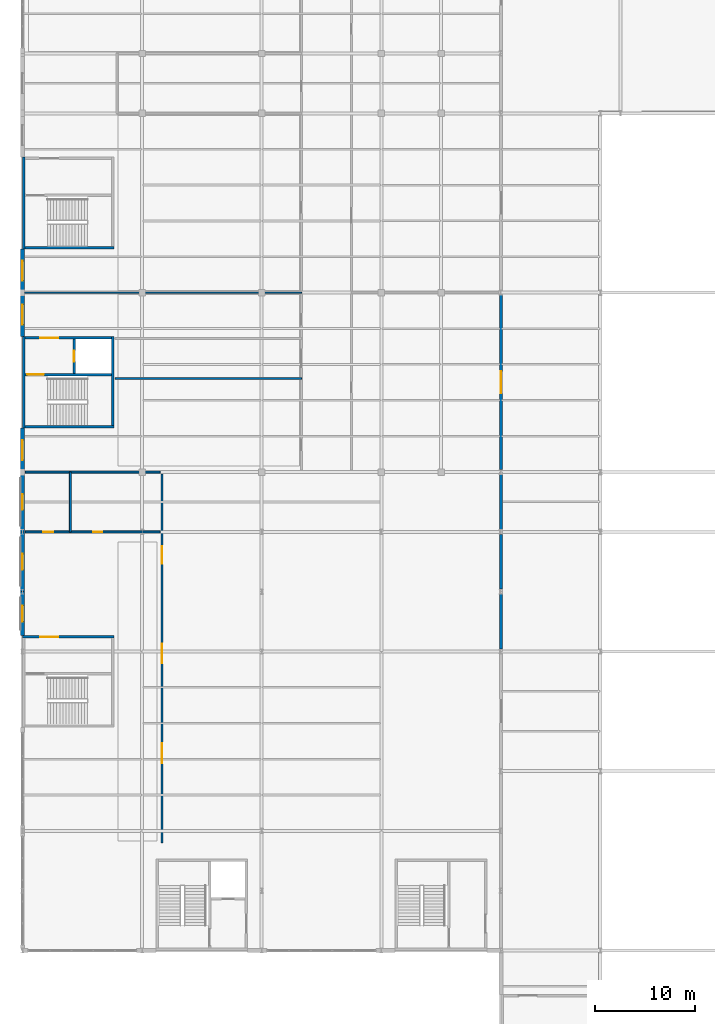
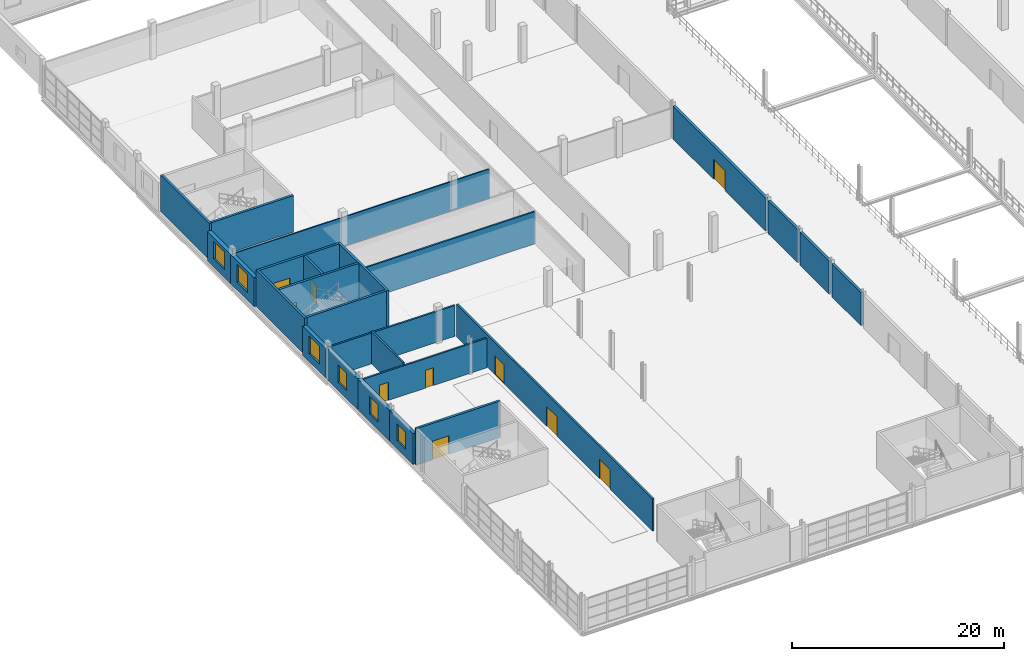
# One storey, part 141 of 158: 25 walls, 10 doors, 6 windows, 16 openings.
"""IFC4 building model written with IfcOpenShell, lengths in metres."""

from ifc_helpers import new_model, si_unit, direction, frame, frame_2d, origin, place, context, subcontext, project, spatial, rectangle, extrude, material, layer, layer_set, type_object, element, fill, save


model = new_model("IFC4")

# Units and contexts
model_context = context("Model", 3, precision=1e-05, world=origin(), true_north=direction((0.0, 1.0)))
body_context = subcontext(model_context, "Body", "Model", "MODEL_VIEW")
ifc_project = project(units=[si_unit("LENGTHUNIT", "METRE"), si_unit("AREAUNIT", "SQUARE_METRE"), si_unit("VOLUMEUNIT", "CUBIC_METRE"), si_unit("PLANEANGLEUNIT", "RADIAN"), si_unit("MASSUNIT", "GRAM", prefix="KILO")], contexts=[model_context])

# Site, building, storey
site_placement = place(None, origin())
site = spatial("IfcSite", under=ifc_project, at=site_placement, CompositionType="ELEMENT")
building_placement = place(site_placement, origin())
building = spatial("IfcBuilding", under=site, at=building_placement, Name="Zilviju Railside Exhibition Hall", CompositionType="ELEMENT")
storey_placement = place(building_placement, frame((0.0, 0.0, 4.199951171875)))
storey = spatial("IfcBuildingStorey", under=building, at=storey_placement, Name="L02", CompositionType="ELEMENT", Elevation=4.199951171875)

# Walls
ifc_material_1 = material(Name="Concrete C35/45", Category="concrete")
ifc_layer_1 = layer(ifc_material_1, 0.280029296875)
ifc_layer_set_1 = layer_set([ifc_layer_1], Name="Concrete C35/45")
wall_type_1 = type_object("IfcWallType", Name="WL-COMP-280", PredefinedType="SHEAR", material=ifc_layer_set_1)
for number, where, z_axis, x_axis, name in (
    (1, (48.0, 66.251953125, 0.0), (0.0, 0.0, 1.0), (0.0, 1.0, 0.0), "REI 180 Congress-Concourse Compartment Wall L02"),
    (2, (48.0, 72.251953125, 0.0), (0.0, 0.0, 1.0), (0.0, 1.0, 0.0), "REI 180 Congress-Concourse Compartment Wall L02"),
):
    element("IfcWall", number, at=place(storey_placement, frame(where, z_axis=z_axis, x_axis=x_axis)), inside=storey, type_object=wall_type_1, Name=name, PredefinedType="SHEAR", context=body_context, shape_type="SweptSolid", body=[
        extrude(rectangle(XDim=5.49609375, YDim=0.280029296875, at=frame_2d((2.748046875, 0.0))), origin(), (0.0, 0.0, 1.0), 3.800048828125),
    ])

# Wall, opening, door
wall_1_placement = place(storey_placement, frame((48.0, 84.251953125, 0.0), z_axis=(0.0, 0.0, 1.0), x_axis=(0.0, 1.0, 0.0)))
wall_1 = element("IfcWall", 3, at=wall_1_placement, inside=storey, type_object=wall_type_1, Name="REI 180 Congress-Concourse Compartment Wall L02", PredefinedType="SHEAR", context=body_context, shape_type="SweptSolid", body=[
    extrude(rectangle(XDim=17.49609375, YDim=0.280029296875, at=frame_2d((8.748046875, 0.0))), origin(), (0.0, 0.0, 1.0), 3.800048828125),
])
opening_1_placement = place(wall_1_placement, frame((7.64794921875, 0.0, 0.0)))
opening_1 = element("IfcOpeningElement", 4, at=opening_1_placement, cuts=wall_1, Name="Opening FD-03", PredefinedType="OPENING", context=body_context, shape_type="SweptSolid", body=[
    extrude(rectangle(XDim=2.199951171875, YDim=2.300048828125, at=frame_2d((1.10009765625, 1.14990234375))), frame((0.0, 0.14990234375, 0.0), z_axis=(0.0, -1.0, 0.0), x_axis=(1.0, 0.0, 0.0)), (0.0, 0.0, 1.0), 0.300048828125),
])
ifc_material_2 = material(Name="Hold-open double compartment fire door EI 60", Category="wood")
door_type_1 = type_object("IfcDoorType", Name="DR-COMP-220x230", OperationType="NOTDEFINED", PredefinedType="DOOR", material=ifc_material_2)
door_1_placement = place(opening_1_placement, origin())
door_1 = element("IfcDoor", 5, at=door_1_placement, inside=storey, type_object=door_type_1, Name="Congress Link Fire Door L02", OperationType="DOUBLE_DOOR_SINGLE_SWING", OverallHeight=2.300048828125, OverallWidth=2.199951171875, PredefinedType="DOOR", context=body_context, shape_type="SweptSolid", body=[
    extrude(rectangle(XDim=2.199951171875, YDim=2.300048828125, at=frame_2d((1.10009765625, 1.14990234375))), frame((0.0, 0.02490234375, 0.0), z_axis=(0.0, -1.0, 0.0), x_axis=(1.0, 0.0, 0.0)), (0.0, 0.0, 1.0), 0.050048828125),
])
fill(opening_1, door_1)

# Wall
wall_2_placement = place(storey_placement, frame((48.0, 78.251953125, 0.0), z_axis=(0.0, 0.0, 1.0), x_axis=(0.0, 1.0, 0.0)))
element("IfcWall", 6, at=wall_2_placement, inside=storey, type_object=wall_type_1, Name="REI 180 Congress-Concourse Compartment Wall L02", PredefinedType="SHEAR", context=body_context, shape_type="SweptSolid", body=[
    extrude(rectangle(XDim=5.49609375, YDim=0.280029296875, at=frame_2d((2.748046875, 0.0))), origin(), (0.0, 0.0, 1.0), 3.800048828125),
])

# Wall, opening, door
ifc_layer_2 = layer(ifc_material_1, 0.25)
ifc_layer_set_2 = layer_set([ifc_layer_2], Name="Concrete C35/45")
wall_type_2 = type_object("IfcWallType", Name="WL-CORE-250", PredefinedType="SHEAR", material=ifc_layer_set_2)
wall_3_placement = place(storey_placement, frame((0.0, 67.47509765625, 0.0), z_axis=(0.0, 0.0, 1.0), x_axis=(1.0, 0.0, 0.0)))
wall_3 = element("IfcWall", 7, at=wall_3_placement, inside=storey, type_object=wall_type_2, Name="Core C14 Congress Plenary West Lobby Side Wall L02", PredefinedType="SHEAR", context=body_context, shape_type="SweptSolid", body=[
    extrude(rectangle(XDim=9.199951171875, YDim=0.25, at=frame_2d((4.60009765625, 0.0))), origin(), (0.0, 0.0, 1.0), 4.199951171875),
])
opening_2_placement = place(wall_3_placement, frame((1.800048828125, 0.0, 0.0)))
opening_2 = element("IfcOpeningElement", 8, at=opening_2_placement, cuts=wall_3, Name="Opening FD-02", PredefinedType="OPENING", context=body_context, shape_type="SweptSolid", body=[
    extrude(rectangle(XDim=1.800048828125, YDim=2.14990234375, at=frame_2d((0.89990234375, 1.074951171875))), frame((0.0, 0.135009765625, 0.0), z_axis=(0.0, -1.0, 0.0), x_axis=(1.0, 0.0, 0.0)), (0.0, 0.0, 1.0), 0.27001953125),
])
ifc_material_3 = material(Name="Self-closing glazed steel core lobby fire door EI 60", Category="steel")
door_type_2 = type_object("IfcDoorType", Name="DR-LOBBY-180x215", OperationType="NOTDEFINED", PredefinedType="DOOR", material=ifc_material_3)
door_2_placement = place(opening_2_placement, origin())
door_2 = element("IfcDoor", 9, at=door_2_placement, inside=storey, type_object=door_type_2, Name="Core C14 Congress Plenary West Lobby Fire Door L02", OperationType="DOUBLE_DOOR_SINGLE_SWING", OverallHeight=2.14990234375, OverallWidth=1.800048828125, PredefinedType="DOOR", context=body_context, shape_type="SweptSolid", body=[
    extrude(rectangle(XDim=1.800048828125, YDim=2.14990234375, at=frame_2d((0.89990234375, 1.074951171875))), frame((0.0, 0.02490234375, 0.0), z_axis=(0.0, -1.0, 0.0), x_axis=(1.0, 0.0, 0.0)), (0.0, 0.0, 1.0), 0.050048828125),
])
fill(opening_2, door_2)

# Walls
wall_4_placement = place(storey_placement, frame((0.0, 88.52490234375, 0.0), z_axis=(0.0, 0.0, 1.0), x_axis=(1.0, 0.0, 0.0)))
element("IfcWall", 10, at=wall_4_placement, inside=storey, type_object=wall_type_2, Name="Core C15 Organisers Wing South Stairwell Outer Wall L02", PredefinedType="SHEAR", context=body_context, shape_type="SweptSolid", body=[
    extrude(rectangle(XDim=9.199951171875, YDim=0.25, at=frame_2d((4.60009765625, 0.0))), origin(), (0.0, 0.0, 1.0), 4.199951171875),
])
wall_5_placement = place(storey_placement, frame((9.074951171875, 88.39990234375, 0.0), z_axis=(0.0, 0.0, 1.0), x_axis=(0.0, 1.0, 0.0)))
element("IfcWall", 11, at=wall_5_placement, inside=storey, type_object=wall_type_2, Name="Core C15 Organisers Wing South Core Rear Wall L02", PredefinedType="SHEAR", context=body_context, shape_type="SweptSolid", body=[
    extrude(rectangle(XDim=9.2001953125, YDim=0.25, at=frame_2d((4.60009765625, 0.0))), origin(), (0.0, 0.0, 1.0), 4.199951171875),
])

# Wall, opening, door
wall_6_placement = place(storey_placement, frame((0.0, 97.47509765625, 0.0), z_axis=(0.0, 0.0, 1.0), x_axis=(1.0, 0.0, 0.0)))
wall_6 = element("IfcWall", 12, at=wall_6_placement, inside=storey, type_object=wall_type_2, Name="Core C15 Organisers Wing South Lobby Side Wall L02", PredefinedType="SHEAR", context=body_context, shape_type="SweptSolid", body=[
    extrude(rectangle(XDim=9.199951171875, YDim=0.25, at=frame_2d((4.60009765625, 0.0))), origin(), (0.0, 0.0, 1.0), 4.199951171875),
])
opening_3_placement = place(wall_6_placement, frame((1.800048828125, 0.0, 0.0)))
opening_3 = element("IfcOpeningElement", 13, at=opening_3_placement, cuts=wall_6, Name="Opening FD-02", PredefinedType="OPENING", context=body_context, shape_type="SweptSolid", body=[
    extrude(rectangle(XDim=1.800048828125, YDim=2.14990234375, at=frame_2d((0.89990234375, 1.074951171875))), frame((0.0, 0.135009765625, 0.0), z_axis=(0.0, -1.0, 0.0), x_axis=(1.0, 0.0, 0.0)), (0.0, 0.0, 1.0), 0.27001953125),
])
door_3_placement = place(opening_3_placement, origin())
door_3 = element("IfcDoor", 14, at=door_3_placement, inside=storey, type_object=door_type_2, Name="Core C15 Organisers Wing South Lobby Fire Door L02", OperationType="DOUBLE_DOOR_SINGLE_SWING", OverallHeight=2.14990234375, OverallWidth=1.800048828125, PredefinedType="DOOR", context=body_context, shape_type="SweptSolid", body=[
    extrude(rectangle(XDim=1.800048828125, YDim=2.14990234375, at=frame_2d((0.89990234375, 1.074951171875))), frame((0.0, 0.02490234375, 0.0), z_axis=(0.0, -1.0, 0.0), x_axis=(1.0, 0.0, 0.0)), (0.0, 0.0, 1.0), 0.050048828125),
])
fill(opening_3, door_3)

wall_7_placement = place(storey_placement, frame((0.25, 93.77490234375, 0.0), z_axis=(0.0, 0.0, 1.0), x_axis=(1.0, 0.0, 0.0)))
wall_7 = element("IfcWall", 15, at=wall_7_placement, inside=storey, type_object=wall_type_2, Name="Core C15 Organisers Wing South Stairwell Partition Wall L02", PredefinedType="SHEAR", context=body_context, shape_type="SweptSolid", body=[
    extrude(rectangle(XDim=8.699951171875, YDim=0.25, at=frame_2d((4.35009765625, 0.0))), origin(), (0.0, 0.0, 1.0), 4.199951171875),
])
opening_4_placement = place(wall_7_placement, frame((0.25, 0.0, 0.0)))
opening_4 = element("IfcOpeningElement", 16, at=opening_4_placement, cuts=wall_7, Name="Opening FD-01", PredefinedType="OPENING", context=body_context, shape_type="SweptSolid", body=[
    extrude(rectangle(XDim=1.64990234375, YDim=2.10009765625, at=frame_2d((0.824951171875, 1.050048828125))), frame((0.0, 0.135009765625, 0.0), z_axis=(0.0, -1.0, 0.0), x_axis=(1.0, 0.0, 0.0)), (0.0, 0.0, 1.0), 0.27001953125),
])
ifc_material_4 = material(Name="Self-closing steel stair enclosure fire door EI 60", Category="steel")
door_type_3 = type_object("IfcDoorType", Name="DR-STAIR-165x210", OperationType="NOTDEFINED", PredefinedType="DOOR", material=ifc_material_4)
door_4_placement = place(opening_4_placement, origin())
door_4 = element("IfcDoor", 17, at=door_4_placement, inside=storey, type_object=door_type_3, Name="Core C15 Organisers Wing South Protected Stair Door L02", OperationType="SINGLE_SWING_RIGHT", OverallHeight=2.10009765625, OverallWidth=1.64990234375, PredefinedType="DOOR", context=body_context, shape_type="SweptSolid", body=[
    extrude(rectangle(XDim=1.64990234375, YDim=2.10009765625, at=frame_2d((0.824951171875, 1.050048828125))), frame((0.0, 0.02490234375, 0.0), z_axis=(0.0, -1.0, 0.0), x_axis=(1.0, 0.0, 0.0)), (0.0, 0.0, 1.0), 0.050048828125),
])
fill(opening_4, door_4)

wall_8_placement = place(storey_placement, frame((5.175048828125, 93.89990234375, 0.0), z_axis=(0.0, 0.0, 1.0), x_axis=(0.0, 1.0, 0.0)))
wall_8 = element("IfcWall", 18, at=wall_8_placement, inside=storey, type_object=wall_type_2, Name="Core C15 Organisers Wing South Lift Shaft Front Wall L02", PredefinedType="SHEAR", context=body_context, shape_type="SweptSolid", body=[
    extrude(rectangle(XDim=3.4501953125, YDim=0.25, at=frame_2d((1.72509765625, 0.0))), origin(), (0.0, 0.0, 1.0), 4.199951171875),
])
opening_5_placement = place(wall_8_placement, frame((1.175048828125, 0.0, 0.0)))
opening_5 = element("IfcOpeningElement", 19, at=opening_5_placement, cuts=wall_8, Name="Opening LD-01", PredefinedType="OPENING", context=body_context, shape_type="SweptSolid", body=[
    extrude(rectangle(XDim=1.10009765625, YDim=2.10009765625, at=frame_2d((0.550048828125, 1.050048828125))), frame((0.0, 0.135009765625, 0.0), z_axis=(0.0, -1.0, 0.0), x_axis=(1.0, 0.0, 0.0)), (0.0, 0.0, 1.0), 0.27001953125),
])
ifc_material_5 = material(Name="Passenger lift sliding landing door EI 60", Category="wood")
door_type_4 = type_object("IfcDoorType", Name="DR-LIFT-110x210", OperationType="NOTDEFINED", PredefinedType="DOOR", material=ifc_material_5)
door_5_placement = place(opening_5_placement, origin())
door_5 = element("IfcDoor", 20, at=door_5_placement, inside=storey, type_object=door_type_4, Name="Lift Landing Door LP-06 L02", OperationType="SLIDING_TO_LEFT", OverallHeight=2.10009765625, OverallWidth=1.10009765625, PredefinedType="DOOR", context=body_context, shape_type="SweptSolid", body=[
    extrude(rectangle(XDim=1.10009765625, YDim=2.10009765625, at=frame_2d((0.550048828125, 1.050048828125))), frame((0.0, 0.02490234375, 0.0), z_axis=(0.0, -1.0, 0.0), x_axis=(1.0, 0.0, 0.0)), (0.0, 0.0, 1.0), 0.050048828125),
])
fill(opening_5, door_5)

# Walls
wall_9_placement = place(storey_placement, frame((0.0, 106.52490234375, 0.0), z_axis=(0.0, 0.0, 1.0), x_axis=(1.0, 0.0, 0.0)))
element("IfcWall", 21, at=wall_9_placement, inside=storey, type_object=wall_type_2, Name="Core C16 Organisers Wing North Stairwell Outer Wall L02", PredefinedType="SHEAR", context=body_context, shape_type="SweptSolid", body=[
    extrude(rectangle(XDim=9.199951171875, YDim=0.25, at=frame_2d((4.60009765625, 0.0))), origin(), (0.0, 0.0, 1.0), 4.199951171875),
])
ifc_material_6 = material(Name="Concrete C40/50", Category="concrete")
ifc_layer_3 = layer(ifc_material_6, 0.25)
ifc_layer_set_3 = layer_set([ifc_layer_3], Name="Concrete C40/50")
wall_type_3 = type_object("IfcWallType", Name="WL-CORE-300", PredefinedType="SHEAR", material=ifc_layer_set_3)
for number, where, z_axis, x_axis, name in (
    (22, (0.125, 88.39990234375, 0.0), (0.0, 0.0, 1.0), (0.0, 1.0, 0.0), "Core C15 Organisers Wing South Exterior Core Wall L02"),
    (23, (0.125, 106.39990234375, 0.0), (0.0, 0.0, 1.0), (0.0, 1.0, 0.0), "Core C16 Organisers Wing North Exterior Core Wall L02"),
):
    element("IfcWall", number, at=place(storey_placement, frame(where, z_axis=z_axis, x_axis=x_axis)), inside=storey, type_object=wall_type_3, Name=name, PredefinedType="SHEAR", context=body_context, shape_type="SweptSolid", body=[
        extrude(rectangle(XDim=9.2001953125, YDim=0.25, at=frame_2d((4.60009765625, 0.0))), origin(), (0.0, 0.0, 1.0), 4.199951171875),
    ])

# Wall, opening, window
ifc_material_7 = material(Name="Insulated cream-brick upper facade wall", Category="masonry")
ifc_layer_4 = layer(ifc_material_7, 0.3798828125)
ifc_layer_set_4 = layer_set([ifc_layer_4], Name="Insulated cream-brick upper facade wall")
wall_type_4 = type_object("IfcWallType", Name="WL-EXT-380", PredefinedType="SOLIDWALL", material=ifc_layer_set_4)
wall_10_placement = place(storey_placement, frame((0.0, 67.60009765625, 0.0), z_axis=(0.0, 0.0, 1.0), x_axis=(0.0, 1.0, 0.0)))
wall_10 = element("IfcWall", 24, at=wall_10_placement, inside=storey, type_object=wall_type_4, Name="Exterior Facade Wall L02 West 0445", PredefinedType="SOLIDWALL", context=body_context, shape_type="SweptSolid", body=[
    extrude(rectangle(XDim=4.39990234375, YDim=0.3798828125, at=frame_2d((2.199951171875, 0.0))), origin(), (0.0, 0.0, 1.0), 3.56005859375),
])
opening_6_placement = place(wall_10_placement, frame((1.39990234375, 0.0, 0.89990234375)))
opening_6 = element("IfcOpeningElement", 25, at=opening_6_placement, cuts=wall_10, Name="Opening WN-02", PredefinedType="OPENING", context=body_context, shape_type="SweptSolid", body=[
    extrude(rectangle(XDim=1.60009765625, YDim=2.0, at=frame_2d((0.800048828125, 1.0))), frame((0.0, 0.199951171875, 0.0), z_axis=(0.0, -1.0, 0.0), x_axis=(1.0, 0.0, 0.0)), (0.0, 0.0, 1.0), 0.39990234375),
])
ifc_material_8 = material(Name="Triple-glazed timber-aluminium window unit", Category="wood")
window_type_1 = type_object("IfcWindowType", Name="WIN-JUG-160x200", PartitioningType="DOUBLE_PANEL_VERTICAL", PredefinedType="WINDOW", material=ifc_material_8)
window_1_placement = place(opening_6_placement, origin())
window_1 = element("IfcWindow", 26, at=window_1_placement, inside=storey, type_object=window_type_1, Name="Facade Window L02 WN-0027", OverallHeight=2.0, OverallWidth=1.60009765625, PartitioningType="SINGLE_PANEL", PredefinedType="WINDOW", context=body_context, shape_type="SweptSolid", body=[
    extrude(rectangle(XDim=1.60009765625, YDim=2.0, at=frame_2d((0.800048828125, 1.0))), frame((0.0, 0.030029296875, 0.0), z_axis=(0.0, -1.0, 0.0), x_axis=(1.0, 0.0, 0.0)), (0.0, 0.0, 1.0), 0.06005859375),
])
fill(opening_6, window_1)

wall_11_placement = place(storey_placement, frame((0.0, 72.0, 0.0), z_axis=(0.0, 0.0, 1.0), x_axis=(0.0, 1.0, 0.0)))
wall_11 = element("IfcWall", 27, at=wall_11_placement, inside=storey, type_object=wall_type_4, Name="Exterior Facade Wall L02 West 0446", PredefinedType="SOLIDWALL", context=body_context, shape_type="SweptSolid", body=[
    extrude(rectangle(XDim=6.0, YDim=0.3798828125, at=frame_2d((3.0, 0.0))), origin(), (0.0, 0.0, 1.0), 3.56005859375),
])
opening_7_placement = place(wall_11_placement, frame((2.199951171875, 0.0, 0.89990234375)))
opening_7 = element("IfcOpeningElement", 28, at=opening_7_placement, cuts=wall_11, Name="Opening WN-02", PredefinedType="OPENING", context=body_context, shape_type="SweptSolid", body=[
    extrude(rectangle(XDim=1.60009765625, YDim=2.0, at=frame_2d((0.800048828125, 1.0))), frame((0.0, 0.199951171875, 0.0), z_axis=(0.0, -1.0, 0.0), x_axis=(1.0, 0.0, 0.0)), (0.0, 0.0, 1.0), 0.39990234375),
])
window_2_placement = place(opening_7_placement, origin())
window_2 = element("IfcWindow", 29, at=window_2_placement, inside=storey, type_object=window_type_1, Name="Facade Window L02 WN-0028", OverallHeight=2.0, OverallWidth=1.60009765625, PartitioningType="SINGLE_PANEL", PredefinedType="WINDOW", context=body_context, shape_type="SweptSolid", body=[
    extrude(rectangle(XDim=1.60009765625, YDim=2.0, at=frame_2d((0.800048828125, 1.0))), frame((0.0, 0.030029296875, 0.0), z_axis=(0.0, -1.0, 0.0), x_axis=(1.0, 0.0, 0.0)), (0.0, 0.0, 1.0), 0.06005859375),
])
fill(opening_7, window_2)

wall_12_placement = place(storey_placement, frame((0.0, 78.0, 0.0), z_axis=(0.0, 0.0, 1.0), x_axis=(0.0, 1.0, 0.0)))
wall_12 = element("IfcWall", 30, at=wall_12_placement, inside=storey, type_object=wall_type_4, Name="Exterior Facade Wall L02 West 0447", PredefinedType="SOLIDWALL", context=body_context, shape_type="SweptSolid", body=[
    extrude(rectangle(XDim=6.0, YDim=0.3798828125, at=frame_2d((3.0, 0.0))), origin(), (0.0, 0.0, 1.0), 3.56005859375),
])
opening_8_placement = place(wall_12_placement, frame((2.199951171875, 0.0, 0.89990234375)))
opening_8 = element("IfcOpeningElement", 31, at=opening_8_placement, cuts=wall_12, Name="Opening WN-02", PredefinedType="OPENING", context=body_context, shape_type="SweptSolid", body=[
    extrude(rectangle(XDim=1.60009765625, YDim=2.0, at=frame_2d((0.800048828125, 1.0))), frame((0.0, 0.199951171875, 0.0), z_axis=(0.0, -1.0, 0.0), x_axis=(1.0, 0.0, 0.0)), (0.0, 0.0, 1.0), 0.39990234375),
])
window_3_placement = place(opening_8_placement, origin())
window_3 = element("IfcWindow", 32, at=window_3_placement, inside=storey, type_object=window_type_1, Name="Facade Window L02 WN-0029", OverallHeight=2.0, OverallWidth=1.60009765625, PartitioningType="SINGLE_PANEL", PredefinedType="WINDOW", context=body_context, shape_type="SweptSolid", body=[
    extrude(rectangle(XDim=1.60009765625, YDim=2.0, at=frame_2d((0.800048828125, 1.0))), frame((0.0, 0.030029296875, 0.0), z_axis=(0.0, -1.0, 0.0), x_axis=(1.0, 0.0, 0.0)), (0.0, 0.0, 1.0), 0.06005859375),
])
fill(opening_8, window_3)

ifc_material_9 = material(Name="Insulated Jugendstils ochre brick facade wall", Category="masonry")
ifc_layer_5 = layer(ifc_material_9, 0.419921875)
ifc_layer_set_5 = layer_set([ifc_layer_5], Name="Insulated Jugendstils ochre brick facade wall")
wall_type_5 = type_object("IfcWallType", Name="WL-EXT-420", PredefinedType="SOLIDWALL", material=ifc_layer_set_5)
wall_13_placement = place(storey_placement, frame((0.0, 84.0, 0.0), z_axis=(0.0, 0.0, 1.0), x_axis=(0.0, 1.0, 0.0)))
wall_13 = element("IfcWall", 33, at=wall_13_placement, inside=storey, type_object=wall_type_5, Name="Exterior Facade Wall L02 West 0472", PredefinedType="SOLIDWALL", context=body_context, shape_type="SweptSolid", body=[
    extrude(rectangle(XDim=4.39990234375, YDim=0.419921875, at=frame_2d((2.199951171875, 0.0))), origin(), (0.0, 0.0, 1.0), 3.35009765625),
])
opening_9_placement = place(wall_13_placement, frame((1.199951171875, 0.0, 0.89990234375)))
opening_9 = element("IfcOpeningElement", 34, at=opening_9_placement, cuts=wall_13, Name="Opening WN-07", PredefinedType="OPENING", context=body_context, shape_type="SweptSolid", body=[
    extrude(rectangle(XDim=2.0, YDim=2.050048828125, at=frame_2d((1.0, 1.02490234375))), frame((0.0, 0.219970703125, 0.0), z_axis=(0.0, -1.0, 0.0), x_axis=(1.0, 0.0, 0.0)), (0.0, 0.0, 1.0), 0.43994140625),
])
window_type_2 = type_object("IfcWindowType", Name="WIN-ERK-200x205", PartitioningType="DOUBLE_PANEL_VERTICAL", PredefinedType="WINDOW", material=ifc_material_8)
window_4_placement = place(opening_9_placement, origin())
window_4 = element("IfcWindow", 35, at=window_4_placement, inside=storey, type_object=window_type_2, Name="Facade Window L02 WN-0043", OverallHeight=2.050048828125, OverallWidth=2.0, PartitioningType="SINGLE_PANEL", PredefinedType="WINDOW", context=body_context, shape_type="SweptSolid", body=[
    extrude(rectangle(XDim=2.0, YDim=2.050048828125, at=frame_2d((1.0, 1.02490234375))), frame((0.0, 0.030029296875, 0.0), z_axis=(0.0, -1.0, 0.0), x_axis=(1.0, 0.0, 0.0)), (0.0, 0.0, 1.0), 0.06005859375),
])
fill(opening_9, window_4)

wall_14_placement = place(storey_placement, frame((0.0, 97.60009765625, 0.0), z_axis=(0.0, 0.0, 1.0), x_axis=(0.0, 1.0, 0.0)))
wall_14 = element("IfcWall", 36, at=wall_14_placement, inside=storey, type_object=wall_type_5, Name="Exterior Facade Wall L02 West 0473", PredefinedType="SOLIDWALL", context=body_context, shape_type="SweptSolid", body=[
    extrude(rectangle(XDim=4.39990234375, YDim=0.419921875, at=frame_2d((2.199951171875, 0.0))), origin(), (0.0, 0.0, 1.0), 3.35009765625),
])
opening_10_placement = place(wall_14_placement, frame((1.199951171875, 0.0, 0.89990234375)))
opening_10 = element("IfcOpeningElement", 37, at=opening_10_placement, cuts=wall_14, Name="Opening WN-07", PredefinedType="OPENING", context=body_context, shape_type="SweptSolid", body=[
    extrude(rectangle(XDim=2.0, YDim=2.050048828125, at=frame_2d((1.0, 1.02490234375))), frame((0.0, 0.219970703125, 0.0), z_axis=(0.0, -1.0, 0.0), x_axis=(1.0, 0.0, 0.0)), (0.0, 0.0, 1.0), 0.43994140625),
])
window_5_placement = place(opening_10_placement, origin())
window_5 = element("IfcWindow", 38, at=window_5_placement, inside=storey, type_object=window_type_2, Name="Facade Window L02 WN-0044", OverallHeight=2.050048828125, OverallWidth=2.0, PartitioningType="SINGLE_PANEL", PredefinedType="WINDOW", context=body_context, shape_type="SweptSolid", body=[
    extrude(rectangle(XDim=2.0, YDim=2.050048828125, at=frame_2d((1.0, 1.02490234375))), frame((0.0, 0.030029296875, 0.0), z_axis=(0.0, -1.0, 0.0), x_axis=(1.0, 0.0, 0.0)), (0.0, 0.0, 1.0), 0.06005859375),
])
fill(opening_10, window_5)

wall_15_placement = place(storey_placement, frame((0.0, 102.0, 0.0), z_axis=(0.0, 0.0, 1.0), x_axis=(0.0, 1.0, 0.0)))
wall_15 = element("IfcWall", 39, at=wall_15_placement, inside=storey, type_object=wall_type_5, Name="Exterior Facade Wall L02 West 0474", PredefinedType="SOLIDWALL", context=body_context, shape_type="SweptSolid", body=[
    extrude(rectangle(XDim=4.39990234375, YDim=0.419921875, at=frame_2d((2.199951171875, 0.0))), origin(), (0.0, 0.0, 1.0), 3.35009765625),
])
opening_11_placement = place(wall_15_placement, frame((1.199951171875, 0.0, 0.89990234375)))
opening_11 = element("IfcOpeningElement", 40, at=opening_11_placement, cuts=wall_15, Name="Opening WN-07", PredefinedType="OPENING", context=body_context, shape_type="SweptSolid", body=[
    extrude(rectangle(XDim=2.0, YDim=2.050048828125, at=frame_2d((1.0, 1.02490234375))), frame((0.0, 0.219970703125, 0.0), z_axis=(0.0, -1.0, 0.0), x_axis=(1.0, 0.0, 0.0)), (0.0, 0.0, 1.0), 0.43994140625),
])
window_6_placement = place(opening_11_placement, origin())
window_6 = element("IfcWindow", 41, at=window_6_placement, inside=storey, type_object=window_type_2, Name="Facade Window L02 WN-0045", OverallHeight=2.050048828125, OverallWidth=2.0, PartitioningType="SINGLE_PANEL", PredefinedType="WINDOW", context=body_context, shape_type="SweptSolid", body=[
    extrude(rectangle(XDim=2.0, YDim=2.050048828125, at=frame_2d((1.0, 1.02490234375))), frame((0.0, 0.030029296875, 0.0), z_axis=(0.0, -1.0, 0.0), x_axis=(1.0, 0.0, 0.0)), (0.0, 0.0, 1.0), 0.06005859375),
])
fill(opening_11, window_6)

# Walls
ifc_material_10 = material(Name="Light office acoustic partition wall", Category="masonry")
ifc_layer_6 = layer(ifc_material_10, 0.135009765625)
ifc_layer_set_6 = layer_set([ifc_layer_6], Name="Light office acoustic partition wall")
wall_type_6 = type_object("IfcWallType", Name="WL-PART-135", PredefinedType="PARTITIONING", material=ifc_layer_set_6)
wall_16_placement = place(storey_placement, frame((0.219970703125, 102.0, 0.0), z_axis=(0.0, 0.0, 1.0), x_axis=(1.0, 0.0, 0.0)))
element("IfcWall", 42, at=wall_16_placement, inside=storey, type_object=wall_type_6, Name="Wing West Cross Wall L02 Y=102", PredefinedType="PARTITIONING", context=body_context, shape_type="SweptSolid", body=[
    extrude(rectangle(XDim=27.780029296875, YDim=0.135009765625, at=frame_2d((13.89013671875, 0.0))), origin(), (0.0, 0.0, 1.0), 3.400146484375),
])
ifc_material_11 = material(Name="Acoustic conference partition wall", Category="masonry")
ifc_layer_7 = layer(ifc_material_11, 0.175048828125)
ifc_layer_set_7 = layer_set([ifc_layer_7], Name="Acoustic conference partition wall")
wall_type_7 = type_object("IfcWallType", Name="WL-PART-175", PredefinedType="PARTITIONING", material=ifc_layer_set_7)
wall_17_placement = place(storey_placement, frame((9.300048828125, 93.39990234375, 0.0), z_axis=(0.0, 0.0, 1.0), x_axis=(1.0, 0.0, 0.0)))
element("IfcWall", 43, at=wall_17_placement, inside=storey, type_object=wall_type_7, Name="Wing Core Link South Wall L02", PredefinedType="PARTITIONING", context=body_context, shape_type="SweptSolid", body=[
    extrude(rectangle(XDim=18.699951171875, YDim=0.175048828125, at=frame_2d((9.35009765625, 0.0))), origin(), (0.0, 0.0, 1.0), 3.719970703125),
])

# Wall, openings, doors
ifc_material_12 = material(Name="Double-stud acoustic gypsum partition wall", Category="masonry")
ifc_layer_8 = layer(ifc_material_12, 0.199951171875)
ifc_layer_set_8 = layer_set([ifc_layer_8], Name="Double-stud acoustic gypsum partition wall")
wall_type_8 = type_object("IfcWallType", Name="WL-PART-200", PredefinedType="PARTITIONING", material=ifc_layer_set_8)
wall_18_placement = place(storey_placement, frame((14.0, 46.800048828125, 0.0), z_axis=(0.0, 0.0, 1.0), x_axis=(0.0, 1.0, 0.0)))
wall_18 = element("IfcWall", 44, at=wall_18_placement, inside=storey, type_object=wall_type_8, Name="Congress Plenary Auditorium Rear Acoustic Wall", PredefinedType="PARTITIONING", context=body_context, shape_type="SweptSolid", body=[
    extrude(rectangle(XDim=37.0, YDim=0.199951171875, at=frame_2d((18.5, 0.0))), origin(), (0.0, 0.0, 1.0), 3.719970703125),
])
opening_12_placement = place(wall_18_placement, frame((8.0, 0.0, 0.0)))
opening_12 = element("IfcOpeningElement", 45, at=opening_12_placement, cuts=wall_18, Name="Opening AD-01", PredefinedType="OPENING", context=body_context, shape_type="SweptSolid", body=[
    extrude(rectangle(XDim=2.0, YDim=2.25, at=frame_2d((1.0, 1.125))), frame((0.0, 0.10986328125, 0.0), z_axis=(0.0, -1.0, 0.0), x_axis=(1.0, 0.0, 0.0)), (0.0, 0.0, 1.0), 0.219970703125),
])
opening_13_placement = place(wall_18_placement, frame((18.0, 0.0, 0.0)))
opening_13 = element("IfcOpeningElement", 46, at=opening_13_placement, cuts=wall_18, Name="Opening AD-01", PredefinedType="OPENING", context=body_context, shape_type="SweptSolid", body=[
    extrude(rectangle(XDim=2.0, YDim=2.25, at=frame_2d((1.0, 1.125))), frame((0.0, 0.10986328125, 0.0), z_axis=(0.0, -1.0, 0.0), x_axis=(1.0, 0.0, 0.0)), (0.0, 0.0, 1.0), 0.219970703125),
])
opening_14_placement = place(wall_18_placement, frame((28.0, 0.0, 0.0)))
opening_14 = element("IfcOpeningElement", 47, at=opening_14_placement, cuts=wall_18, Name="Opening AD-02", PredefinedType="OPENING", context=body_context, shape_type="SweptSolid", body=[
    extrude(rectangle(XDim=1.75, YDim=2.199951171875, at=frame_2d((0.875, 1.10009765625))), frame((0.0, 0.10986328125, 0.0), z_axis=(0.0, -1.0, 0.0), x_axis=(1.0, 0.0, 0.0)), (0.0, 0.0, 1.0), 0.219970703125),
])
ifc_material_13 = material(Name="Acoustic congress balcony double door", Category="wood")
door_type_5 = type_object("IfcDoorType", Name="DR-AUD-175x220", OperationType="NOTDEFINED", PredefinedType="DOOR", material=ifc_material_13)
door_6_placement = place(opening_14_placement, origin())
door_6 = element("IfcDoor", 48, at=door_6_placement, inside=storey, type_object=door_type_5, Name="Plenary Auditorium North Acoustic Door", OperationType="DOUBLE_DOOR_SINGLE_SWING", OverallHeight=2.199951171875, OverallWidth=1.75, PredefinedType="DOOR", context=body_context, shape_type="SweptSolid", body=[
    extrude(rectangle(XDim=1.75, YDim=2.199951171875, at=frame_2d((0.875, 1.10009765625))), frame((0.0, 0.02490234375, 0.0), z_axis=(0.0, -1.0, 0.0), x_axis=(1.0, 0.0, 0.0)), (0.0, 0.0, 1.0), 0.050048828125),
])
fill(opening_14, door_6)
ifc_material_14 = material(Name="Acoustic oak auditorium double door", Category="wood")
door_type_6 = type_object("IfcDoorType", Name="DR-AUD-200x225", OperationType="NOTDEFINED", PredefinedType="DOOR", material=ifc_material_14)
door_7_placement = place(opening_12_placement, origin())
door_7 = element("IfcDoor", 49, at=door_7_placement, inside=storey, type_object=door_type_6, Name="Plenary Auditorium South Acoustic Door", OperationType="DOUBLE_DOOR_SINGLE_SWING", OverallHeight=2.25, OverallWidth=2.0, PredefinedType="DOOR", context=body_context, shape_type="SweptSolid", body=[
    extrude(rectangle(XDim=2.0, YDim=2.25, at=frame_2d((1.0, 1.125))), frame((0.0, 0.02490234375, 0.0), z_axis=(0.0, -1.0, 0.0), x_axis=(1.0, 0.0, 0.0)), (0.0, 0.0, 1.0), 0.050048828125),
])
fill(opening_12, door_7)
door_8_placement = place(opening_13_placement, origin())
door_8 = element("IfcDoor", 50, at=door_8_placement, inside=storey, type_object=door_type_6, Name="Plenary Auditorium Centre Acoustic Door", OperationType="DOUBLE_DOOR_SINGLE_SWING", OverallHeight=2.25, OverallWidth=2.0, PredefinedType="DOOR", context=body_context, shape_type="SweptSolid", body=[
    extrude(rectangle(XDim=2.0, YDim=2.25, at=frame_2d((1.0, 1.125))), frame((0.0, 0.02490234375, 0.0), z_axis=(0.0, -1.0, 0.0), x_axis=(1.0, 0.0, 0.0)), (0.0, 0.0, 1.0), 0.050048828125),
])
fill(opening_13, door_8)

ifc_material_15 = material(Name="Accessible WC sanitary chase wall", Category="masonry")
ifc_layer_9 = layer(ifc_material_15, 0.18994140625)
ifc_layer_set_9 = layer_set([ifc_layer_9], Name="Accessible WC sanitary chase wall")
wall_type_9 = type_object("IfcWallType", Name="WL-PLMB-190", PredefinedType="PLUMBINGWALL", material=ifc_layer_set_9)
wall_19_placement = place(storey_placement, frame((0.300048828125, 78.0, 0.0), z_axis=(0.0, 0.0, 1.0), x_axis=(1.0, 0.0, 0.0)))
wall_19 = element("IfcWall", 51, at=wall_19_placement, inside=storey, type_object=wall_type_9, Name="Congress L02 WC Wall", PredefinedType="PLUMBINGWALL", context=body_context, shape_type="SweptSolid", body=[
    extrude(rectangle(XDim=13.5, YDim=0.18994140625, at=frame_2d((6.75, 0.0))), origin(), (0.0, 0.0, 1.0), 3.400146484375),
])
opening_15_placement = place(wall_19_placement, frame((1.800048828125, 0.0, 0.0)))
opening_15 = element("IfcOpeningElement", 52, at=opening_15_placement, cuts=wall_19, Name="Opening WD-01", PredefinedType="OPENING", context=body_context, shape_type="SweptSolid", body=[
    extrude(rectangle(XDim=1.0, YDim=2.10009765625, at=frame_2d((0.5, 1.050048828125))), frame((0.0, 0.10498046875, 0.0), z_axis=(0.0, -1.0, 0.0), x_axis=(1.0, 0.0, 0.0)), (0.0, 0.0, 1.0), 0.2099609375),
])
opening_16_placement = place(wall_19_placement, frame((6.800048828125, 0.0, 0.0)))
opening_16 = element("IfcOpeningElement", 53, at=opening_16_placement, cuts=wall_19, Name="Opening WD-02", PredefinedType="OPENING", context=body_context, shape_type="SweptSolid", body=[
    extrude(rectangle(XDim=0.89990234375, YDim=2.050048828125, at=frame_2d((0.449951171875, 1.02490234375))), frame((0.0, 0.10498046875, 0.0), z_axis=(0.0, -1.0, 0.0), x_axis=(1.0, 0.0, 0.0)), (0.0, 0.0, 1.0), 0.2099609375),
])
ifc_material_16 = material(Name="Accessible WC outward-opening door", Category="wood")
door_type_7 = type_object("IfcDoorType", Name="DR-WC-ACC-100x210", OperationType="NOTDEFINED", PredefinedType="DOOR", material=ifc_material_16)
door_9_placement = place(opening_15_placement, origin())
door_9 = element("IfcDoor", 54, at=door_9_placement, inside=storey, type_object=door_type_7, Name="Congress L02 Accessible WC Door", OperationType="SINGLE_SWING_LEFT", OverallHeight=2.10009765625, OverallWidth=1.0, PredefinedType="DOOR", context=body_context, shape_type="SweptSolid", body=[
    extrude(rectangle(XDim=1.0, YDim=2.10009765625, at=frame_2d((0.5, 1.050048828125))), frame((0.0, 0.02490234375, 0.0), z_axis=(0.0, -1.0, 0.0), x_axis=(1.0, 0.0, 0.0)), (0.0, 0.0, 1.0), 0.050048828125),
])
fill(opening_15, door_9)
ifc_material_17 = material(Name="Sanitary washroom timber door", Category="wood")
door_type_8 = type_object("IfcDoorType", Name="DR-WC-STD-090x205", OperationType="NOTDEFINED", PredefinedType="DOOR", material=ifc_material_17)
door_10_placement = place(opening_16_placement, origin())
door_10 = element("IfcDoor", 55, at=door_10_placement, inside=storey, type_object=door_type_8, Name="Congress L02 Toilets Door", OperationType="SINGLE_SWING_RIGHT", OverallHeight=2.050048828125, OverallWidth=0.89990234375, PredefinedType="DOOR", context=body_context, shape_type="SweptSolid", body=[
    extrude(rectangle(XDim=0.89990234375, YDim=2.050048828125, at=frame_2d((0.449951171875, 1.02490234375))), frame((0.0, 0.02490234375, 0.0), z_axis=(0.0, -1.0, 0.0), x_axis=(1.0, 0.0, 0.0)), (0.0, 0.0, 1.0), 0.050048828125),
])
fill(opening_16, door_10)

# Walls
wall_20_placement = place(storey_placement, frame((0.300048828125, 84.0, 0.0), z_axis=(0.0, 0.0, 1.0), x_axis=(1.0, 0.0, 0.0)))
element("IfcWall", 56, at=wall_20_placement, inside=storey, type_object=wall_type_9, Name="Congress L02 WC North Wall", PredefinedType="PLUMBINGWALL", context=body_context, shape_type="SweptSolid", body=[
    extrude(rectangle(XDim=13.5, YDim=0.18994140625, at=frame_2d((6.75, 0.0))), origin(), (0.0, 0.0, 1.0), 3.56005859375),
])
wall_21_placement = place(storey_placement, frame((4.800048828125, 78.0, 0.0), z_axis=(0.0, 0.0, 1.0), x_axis=(0.0, 1.0, 0.0)))
element("IfcWall", 57, at=wall_21_placement, inside=storey, type_object=wall_type_9, Name="Congress L02 WC Divider", PredefinedType="PLUMBINGWALL", context=body_context, shape_type="SweptSolid", body=[
    extrude(rectangle(XDim=6.0, YDim=0.18994140625, at=frame_2d((3.0, 0.0))), origin(), (0.0, 0.0, 1.0), 3.719970703125),
])

save(model, "model.ifc")
